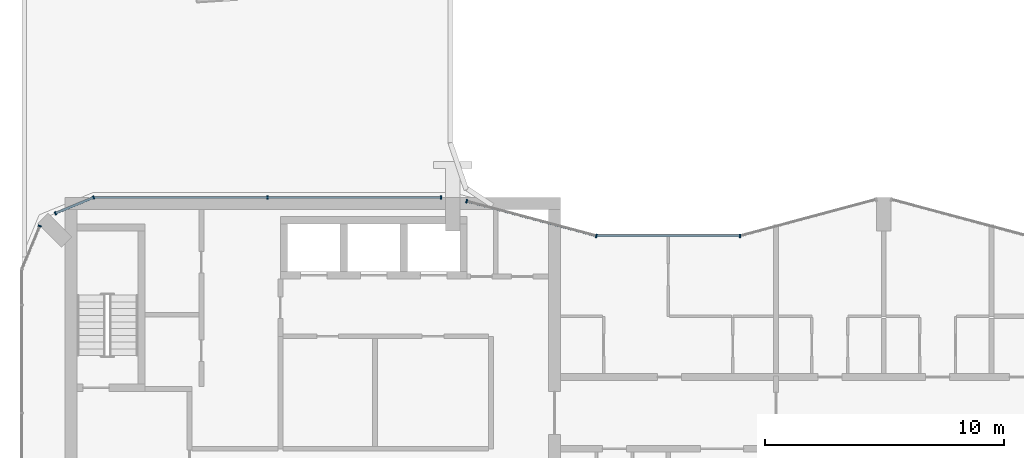
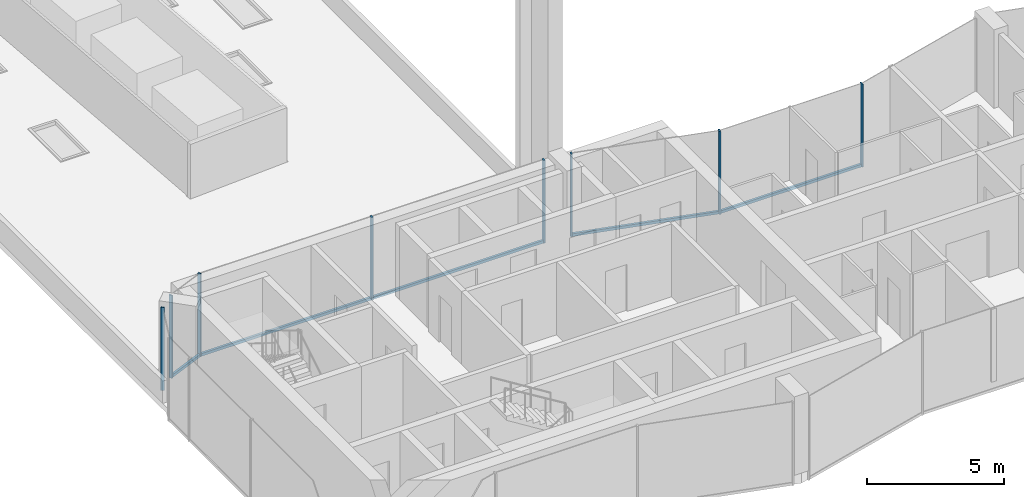
# One storey, part 4 of 13: 12 members, 5 elements without a shape of their own.
"""IFC4 building model written with IfcOpenShell, lengths in metres."""

import ifcopenshell
import ifcopenshell.guid

model = None  # the IFC model being written
_history = None  # IfcOwnerHistory: only IFC2X3 demands one
_inside = {}  # id of a spatial element -> (the spatial element, [elements in it])
_under = {}  # id of a project, library or spatial element -> (it, [spatial elements below it])
_declared = {}  # id of a project -> (the project, [libraries it declares])
_typed = {}  # id of a type object -> (the type object, [elements of that type])
_made_of = {}  # id of a material, layer set ... -> (it, [elements and type objects made of it])


def new_model(schema):
    """Start an empty IFC model of exactly this schema.

    Asked for "IFC4X3", IfcOpenShell would pick the latest addendum, in which some entities
    have other attributes; the version numbers below select the first issue.
    IFC2X3 requires an IfcOwnerHistory on every rooted entity: one is made here for all.
    """
    global model, _history
    if schema == "IFC4X3":
        model = ifcopenshell.file(schema_version=(4, 3, 0, 0))
    else:
        model = ifcopenshell.file(schema=schema)
    _inside.clear()
    _under.clear()
    _declared.clear()
    _typed.clear()
    _made_of.clear()
    _history = None
    if model.schema == "IFC2X3":
        org = make("IfcOrganization", Name="unknown")
        user = make(
            "IfcPersonAndOrganization",
            ThePerson=make("IfcPerson", FamilyName="unknown"),
            TheOrganization=org,
        )
        app = make(
            "IfcApplication",
            ApplicationDeveloper=org,
            Version="unknown",
            ApplicationFullName="unknown",
            ApplicationIdentifier="unknown",
        )
        _history = make(
            "IfcOwnerHistory",
            OwningUser=user,
            OwningApplication=app,
            ChangeAction="ADDED",
            CreationDate=0,
        )
    return model


def make(cls, **values):
    """One entity of the class cls with the attributes given. An attribute that is None is left unset."""
    return model.create_entity(
        cls, **{name: value for name, value in values.items() if value is not None}
    )


def rooted(cls, **values):
    """An entity with a GlobalId (a new one), such as an element, a storey or a relation."""
    return make(cls, GlobalId=ifcopenshell.guid.new(), OwnerHistory=_history, **values)


def si_unit(unit_type, name, prefix=None):
    """IfcSIUnit, for example si_unit("LENGTHUNIT", "METRE", prefix="MILLI")."""
    return make("IfcSIUnit", UnitType=unit_type, Prefix=prefix, Name=name)


def assignment(units):
    """IfcUnitAssignment: the units of a project."""
    return None if units is None else make("IfcUnitAssignment", Units=units)


def point(xyz):
    """IfcCartesianPoint."""
    return None if xyz is None else make("IfcCartesianPoint", Coordinates=xyz)


def direction(xyz):
    """IfcDirection."""
    return None if xyz is None else make("IfcDirection", DirectionRatios=xyz)


def frame(location, z_axis=None, x_axis=None):
    """IfcAxis2Placement3D, a coordinate frame: its origin and axes. An axis left out is left unset."""
    return make(
        "IfcAxis2Placement3D",
        Location=point(location),
        Axis=direction(z_axis),
        RefDirection=direction(x_axis),
    )


def frame_2d(location, x_axis=None):
    """IfcAxis2Placement2D, a coordinate frame in the plane: its origin and x axis."""
    return make(
        "IfcAxis2Placement2D", Location=point(location), RefDirection=direction(x_axis)
    )


def origin():
    """The frame at (0, 0, 0) with its axes left unset."""
    return frame((0.0, 0.0, 0.0))


def origin_2d():
    """The frame at (0, 0) in the plane with its x axis left unset."""
    return frame_2d((0.0, 0.0))


def place(relative_to, where):
    """IfcLocalPlacement: puts the frame where relative to a parent placement (None: the world)."""
    return make(
        "IfcLocalPlacement", PlacementRelTo=relative_to, RelativePlacement=where
    )


def context(
    kind, dimensions, precision=None, world=None, true_north=None, identifier=None
):
    """IfcGeometricRepresentationContext, for example the 3D "Model" context."""
    return make(
        "IfcGeometricRepresentationContext",
        ContextIdentifier=identifier,
        ContextType=kind,
        CoordinateSpaceDimension=dimensions,
        Precision=precision,
        WorldCoordinateSystem=world,
        TrueNorth=true_north,
    )


def subcontext(parent, identifier, kind, view, scale=None):
    """IfcGeometricRepresentationSubContext, for example "Body" below "Model"."""
    return make(
        "IfcGeometricRepresentationSubContext",
        ContextIdentifier=identifier,
        ContextType=kind,
        ParentContext=parent,
        TargetScale=scale,
        TargetView=view,
    )


def project(units=None, contexts=None):
    """IfcProject with its units and contexts."""
    return rooted(
        "IfcProject",
        Name="project",
        RepresentationContexts=contexts,
        UnitsInContext=assignment(units),
    )


def spatial(cls, under=None, at=None, **own):
    """A site, building, storey or space (cls), placed at a placement, below another one or the project."""
    s = rooted(cls, ObjectPlacement=at, **own)
    if under is not None:
        _under.setdefault(under.id(), (under, []))[1].append(s)
    return s


def profile(cls, at=None, kind="AREA", **sizes):
    """A parametric profile (cls). Its sizes go by their IFC names, for example OverallWidth=200.0."""
    return make(cls, ProfileType=kind, Position=at, **sizes)


def rectangle(**sizes):
    """IfcRectangleProfileDef."""
    return profile("IfcRectangleProfileDef", **sizes)


def extrude(swept, where, along, depth):
    """IfcExtrudedAreaSolid: the profile swept, set in the frame where, extruded along a direction by depth."""
    return make(
        "IfcExtrudedAreaSolid",
        SweptArea=swept,
        Position=where,
        ExtrudedDirection=direction(along),
        Depth=depth,
    )


def shape(context_of_items, identifier, shape_type, items):
    """IfcShapeRepresentation: the items that make up one representation, for example the "Body"."""
    return make(
        "IfcShapeRepresentation",
        ContextOfItems=context_of_items,
        RepresentationIdentifier=identifier,
        RepresentationType=shape_type,
        Items=items,
    )


def material(Name=None, Category=None):
    """IfcMaterial."""
    return make("IfcMaterial", Name=Name, Category=Category)


def layer(
    of_material, thickness, ventilated=None, Name=None, Category=None, Priority=None
):
    """IfcMaterialLayer: one layer of a wall or slab, of a material (None: an air gap)."""
    return make(
        "IfcMaterialLayer",
        Material=of_material,
        LayerThickness=thickness,
        IsVentilated=ventilated,
        Name=Name,
        Category=Category,
        Priority=Priority,
    )


def layer_set(layers, Name=None):
    """IfcMaterialLayerSet."""
    return make("IfcMaterialLayerSet", MaterialLayers=layers, LayerSetName=Name)


def material_profile(
    of_material, cross_section, Name=None, Category=None, Priority=None
):
    """IfcMaterialProfile: a cross section and its material."""
    return make(
        "IfcMaterialProfile",
        Name=Name,
        Material=of_material,
        Profile=cross_section,
        Priority=Priority,
        Category=Category,
    )


def profile_set(profiles, Name=None, composite=None):
    """IfcMaterialProfileSet."""
    return make(
        "IfcMaterialProfileSet",
        Name=Name,
        MaterialProfiles=profiles,
        CompositeProfile=composite,
    )


def made_of(thing, what):
    """Note that an element or type object is made of a material, layer set ...; save() writes the relation."""
    if what is not None:
        _made_of.setdefault(what.id(), (what, []))[1].append(thing)
    return thing


def type_object(cls, material=None, **own):
    """A type object (cls), such as IfcWallType, which elements share."""
    return made_of(rooted(cls, **own), material)


def element(
    cls,
    number,
    at=None,
    inside=None,
    cuts=None,
    type_object=None,
    material=None,
    context=None,
    identifier="Body",
    shape_type=None,
    held_by="IfcProductDefinitionShape",
    body=None,
    shapes=None,
    **own,
):
    """One element of the class cls, such as IfcWall. Its Tag is "e" and its number.

    at: its placement. inside: the storey or other place that contains it. cuts: it is an
    opening in that element (IfcRelVoidsElement). A single representation is given by context,
    identifier, shape_type and body (its items); several are given by shapes. held_by: the class
    of the entity that holds the representations. save() writes the other relations.
    """
    e = rooted(cls, Tag="e%d" % number, ObjectPlacement=at, **own)
    if body is not None:
        shapes = [shape(context, identifier, shape_type, body)]
    if shapes is not None:
        e.Representation = make(held_by, Representations=shapes)
    if inside is not None:
        _inside.setdefault(inside.id(), (inside, []))[1].append(e)
    if cuts is not None:
        rooted(
            "IfcRelVoidsElement", RelatingBuildingElement=cuts, RelatedOpeningElement=e
        )
    if type_object is not None:
        _typed.setdefault(type_object.id(), (type_object, []))[1].append(e)
    return made_of(e, material)


def aggregate(whole, parts):
    """IfcRelAggregates: a whole, such as a stair, and the parts it consists of."""
    return rooted("IfcRelAggregates", RelatingObject=whole, RelatedObjects=parts)


def save(model, path):
    """Write the relations noted so far, then the file.

    IfcRelAggregates (storeys below a building ...), IfcRelContainedInSpatialStructure (elements
    in a storey), IfcRelDefinesByType, IfcRelAssociatesMaterial and IfcRelDeclares: one each for
    every whole, place, type object, material and project.
    """
    for whole, parts in _under.values():
        aggregate(whole, parts)
    for where, things in _inside.values():
        rooted(
            "IfcRelContainedInSpatialStructure",
            RelatedElements=things,
            RelatingStructure=where,
        )
    for kind, things in _typed.values():
        rooted("IfcRelDefinesByType", RelatedObjects=things, RelatingType=kind)
    for what, things in _made_of.values():
        rooted("IfcRelAssociatesMaterial", RelatedObjects=things, RelatingMaterial=what)
    for by, libraries in _declared.values():
        rooted("IfcRelDeclares", RelatingContext=by, RelatedDefinitions=libraries)
    model.write(path)


model = new_model("IFC4")

# Units and contexts
model_context = context("Model", 3, precision=1e-05, world=origin(), true_north=direction((0.0, 1.0)))
body_context = subcontext(model_context, "Body", "Model", "MODEL_VIEW")
ifc_project = project(units=[si_unit("LENGTHUNIT", "METRE"), si_unit("AREAUNIT", "SQUARE_METRE"), si_unit("VOLUMEUNIT", "CUBIC_METRE"), si_unit("PLANEANGLEUNIT", "RADIAN"), si_unit("MASSUNIT", "GRAM", prefix="KILO")], contexts=[model_context])

# Site, building, storey
site_placement = place(None, origin())
site = spatial("IfcSite", under=ifc_project, at=site_placement, CompositionType="ELEMENT")
building_placement = place(site_placement, origin())
building = spatial("IfcBuilding", under=site, at=building_placement, Name="Plateau Cross Towers", CompositionType="ELEMENT")
storey_placement = place(building_placement, frame((0.0, 0.0, 229.39990234375)))
storey = spatial("IfcBuildingStorey", under=building, at=storey_placement, Name="L60", CompositionType="ELEMENT", Elevation=229.39990234375)

# Curtain wall, members
ifc_material_1 = material(Name="Dark low-iron glass", Category="glass")
ifc_layer_1 = layer(ifc_material_1, 0.239990234375)
ifc_layer_set_1 = layer_set([ifc_layer_1], Name="Dark low-iron glass")
curtain_wall_type_1 = type_object("IfcCurtainWallType", Name="Curtain wall flush unitised CW-B", PredefinedType="NOTDEFINED", material=ifc_layer_set_1)
curtain_wall_1_placement = place(storey_placement, origin())
curtain_wall_1 = element("IfcCurtainWall", 1, at=curtain_wall_1_placement, inside=storey, type_object=curtain_wall_type_1, Name="ENV/A/L60/A175_180", PredefinedType="NOTDEFINED")
ifc_material_2 = material(Name="Black anodised aluminium", Category="aluminium")
ifc_material_profile_1 = material_profile(ifc_material_2, rectangle(XDim=0.06005859375, YDim=0.139892578125, at=origin_2d()), Name="MULLION 60x140")
ifc_profile_set_1 = profile_set([ifc_material_profile_1], Name="Black anodised aluminium")
member_type_1 = type_object("IfcMemberType", Name="Mullion 60x140 flush unitised", PredefinedType="MULLION", material=ifc_profile_set_1)
member_1_placement = place(storey_placement, frame((17.512939453125, 18.0, -0.449951171875), z_axis=(0.0, 0.0, 1.0), x_axis=(-1.0, 0.0, 0.0)))
member_1 = element("IfcMember", 2, at=member_1_placement, type_object=member_type_1, Name="CW-B mullion 1", PredefinedType="MULLION", context=body_context, shape_type="SweptSolid", body=[
    extrude(rectangle(XDim=0.06005859375, YDim=0.139892578125, at=origin_2d()), origin(), (0.0, 0.0, 1.0), 3.699951171875),
])
member_2_placement = place(storey_placement, frame((10.25634765625, 18.0, -0.449951171875), z_axis=(0.0, 0.0, 1.0), x_axis=(-1.0, 0.0, 0.0)))
member_2 = element("IfcMember", 3, at=member_2_placement, type_object=member_type_1, Name="CW-B mullion 2", PredefinedType="MULLION", context=body_context, shape_type="SweptSolid", body=[
    extrude(rectangle(XDim=0.06005859375, YDim=0.139892578125, at=origin_2d()), origin(), (0.0, 0.0, 1.0), 3.699951171875),
])

curtain_wall_2_placement = place(storey_placement, origin())
curtain_wall_2 = element("IfcCurtainWall", 4, at=curtain_wall_2_placement, inside=storey, type_object=curtain_wall_type_1, Name="ENV/A/L60/A30_180", PredefinedType="NOTDEFINED")
member_3_placement = place(storey_placement, frame((3.0, 18.0, -0.449951171875), z_axis=(0.0, 0.0, 1.0), x_axis=(-0.923879457699, -0.382683612978, 0.0)))
member_3 = element("IfcMember", 5, at=member_3_placement, type_object=member_type_1, Name="CW-B mullion 1", PredefinedType="MULLION", context=body_context, shape_type="SweptSolid", body=[
    extrude(rectangle(XDim=0.06005859375, YDim=0.139892578125, at=origin_2d()), origin(), (0.0, 0.0, 1.0), 3.699951171875),
])
member_4_placement = place(storey_placement, frame((1.4033203125, 17.338623046875, -0.449951171875), z_axis=(0.0, 0.0, 1.0), x_axis=(-0.923879457699, -0.382683612978, 0.0)))
member_4 = element("IfcMember", 6, at=member_4_placement, type_object=member_type_1, Name="CW-B mullion 2", PredefinedType="MULLION", context=body_context, shape_type="SweptSolid", body=[
    extrude(rectangle(XDim=0.06005859375, YDim=0.139892578125, at=origin_2d()), origin(), (0.0, 0.0, 1.0), 3.699951171875),
])

# Curtain wall, member
curtain_wall_3_placement = place(storey_placement, origin())
curtain_wall_3 = element("IfcCurtainWall", 7, at=curtain_wall_3_placement, inside=storey, type_object=curtain_wall_type_1, Name="ENV/A/L60/A7_168", PredefinedType="NOTDEFINED")
member_5_placement = place(storey_placement, frame((0.748046875, 16.805908203125, -0.449951171875), z_axis=(0.0, 0.0, 1.0), x_axis=(-0.382683612978, -0.923879457699, 0.0)))
member_5 = element("IfcMember", 8, at=member_5_placement, type_object=member_type_1, Name="CW-B mullion 1", PredefinedType="MULLION", context=body_context, shape_type="SweptSolid", body=[
    extrude(rectangle(XDim=0.06005859375, YDim=0.139892578125, at=origin_2d()), origin(), (0.0, 0.0, 1.0), 3.699951171875),
])
aggregate(curtain_wall_3, [member_5])

ifc_layer_2 = layer(ifc_material_1, 0.260009765625)
ifc_layer_set_2 = layer_set([ifc_layer_2], Name="Dark low-iron glass")
curtain_wall_type_2 = type_object("IfcCurtainWallType", Name="Curtain wall fluted unitised CW-A", PredefinedType="NOTDEFINED", material=ifc_layer_set_2)
curtain_wall_4_placement = place(storey_placement, origin())
curtain_wall_4 = element("IfcCurtainWall", 9, at=curtain_wall_4_placement, inside=storey, type_object=curtain_wall_type_2, Name="ENV/A/L60/A300_164", PredefinedType="NOTDEFINED")
ifc_material_profile_2 = material_profile(ifc_material_2, rectangle(XDim=0.06005859375, YDim=0.159912109375, at=origin_2d()), Name="MULLION 60x160")
ifc_profile_set_2 = profile_set([ifc_material_profile_2], Name="Black anodised aluminium")
member_type_2 = type_object("IfcMemberType", Name="Mullion 60x160 fluted unitised", PredefinedType="MULLION", material=ifc_profile_set_2)
member_6_placement = place(storey_placement, frame((30.0, 16.39306640625, -0.449951171875), z_axis=(0.0, 0.0, 1.0), x_axis=(-1.0, 0.0, 0.0)))
member_6 = element("IfcMember", 10, at=member_6_placement, type_object=member_type_2, Name="CW-A mullion 1", PredefinedType="MULLION", context=body_context, shape_type="SweptSolid", body=[
    extrude(rectangle(XDim=0.06005859375, YDim=0.159912109375, at=origin_2d()), origin(), (0.0, 0.0, 1.0), 3.699951171875),
])

# Curtain wall, members
curtain_wall_5_placement = place(storey_placement, origin())
curtain_wall_5 = element("IfcCurtainWall", 11, at=curtain_wall_5_placement, inside=storey, type_object=curtain_wall_type_2, Name="ENV/A/L60/A240_164", PredefinedType="NOTDEFINED")
member_7_placement = place(storey_placement, frame((24.0, 16.39306640625, -0.449951171875), z_axis=(0.0, 0.0, 1.0), x_axis=(-0.965957983404, 0.258699003279, 0.0)))
member_7 = element("IfcMember", 12, at=member_7_placement, type_object=member_type_2, Name="CW-A mullion 1", PredefinedType="MULLION", context=body_context, shape_type="SweptSolid", body=[
    extrude(rectangle(XDim=0.06005859375, YDim=0.159912109375, at=origin_2d()), origin(), (0.0, 0.0, 1.0), 3.699951171875),
])
member_8_placement = place(storey_placement, frame((18.58203125, 17.843994140625, -0.449951171875), z_axis=(0.0, 0.0, 1.0), x_axis=(-0.965957983404, 0.258699003279, 0.0)))
member_8 = element("IfcMember", 13, at=member_8_placement, type_object=member_type_2, Name="CW-A mullion 2", PredefinedType="MULLION", context=body_context, shape_type="SweptSolid", body=[
    extrude(rectangle(XDim=0.06005859375, YDim=0.159912109375, at=origin_2d()), origin(), (0.0, 0.0, 1.0), 3.699951171875),
])

# Member
ifc_material_profile_3 = material_profile(ifc_material_2, rectangle(XDim=0.10009765625, YDim=0.1201171875, at=origin_2d()), Name="TRANSOM 100x120")
ifc_profile_set_3 = profile_set([ifc_material_profile_3], Name="Black anodised aluminium")
member_type_3 = type_object("IfcMemberType", Name="Transom 100x120 flush unitised", PredefinedType="USERDEFINED", material=ifc_profile_set_3)
member_9_placement = place(storey_placement, frame((17.512939453125, 18.0, -0.389892578125), z_axis=(-1.0, 0.0, 0.0), x_axis=(0.0, -1.0, 0.0)))
member_9 = element("IfcMember", 14, at=member_9_placement, type_object=member_type_3, Name="CW-B transom", ObjectType="TRANSOM", PredefinedType="USERDEFINED", context=body_context, shape_type="SweptSolid", body=[
    extrude(rectangle(XDim=0.10009765625, YDim=0.1201171875, at=origin_2d()), origin(), (0.0, 0.0, 1.0), 14.512939453125),
])

aggregate(curtain_wall_1, [member_1, member_2, member_9])

member_10_placement = place(storey_placement, frame((3.0, 18.0, -0.389892578125), z_axis=(-0.923877369776, -0.382688653628, 0.0), x_axis=(0.382688653628, -0.923877369776, 0.0)))
member_10 = element("IfcMember", 15, at=member_10_placement, type_object=member_type_3, Name="CW-B transom", ObjectType="TRANSOM", PredefinedType="USERDEFINED", context=body_context, shape_type="SweptSolid", body=[
    extrude(rectangle(XDim=0.10009765625, YDim=0.1201171875, at=origin_2d()), origin(), (0.0, 0.0, 1.0), 1.728271484375),
])

aggregate(curtain_wall_2, [member_3, member_4, member_10])

ifc_material_profile_4 = material_profile(ifc_material_2, rectangle(XDim=0.10009765625, YDim=0.1201171875, at=origin_2d()), Name="TRANSOM 100x120")
ifc_profile_set_4 = profile_set([ifc_material_profile_4], Name="Black anodised aluminium")
member_type_4 = type_object("IfcMemberType", Name="Transom 100x120 fluted unitised", PredefinedType="USERDEFINED", material=ifc_profile_set_4)
member_11_placement = place(storey_placement, frame((30.0, 16.39306640625, -0.389892578125), z_axis=(-1.0, 0.0, 0.0), x_axis=(0.0, -1.0, 0.0)))
member_11 = element("IfcMember", 16, at=member_11_placement, type_object=member_type_4, Name="CW-A transom", ObjectType="TRANSOM", PredefinedType="USERDEFINED", context=body_context, shape_type="SweptSolid", body=[
    extrude(rectangle(XDim=0.10009765625, YDim=0.1201171875, at=origin_2d()), origin(), (0.0, 0.0, 1.0), 6.0),
])

aggregate(curtain_wall_4, [member_6, member_11])

member_12_placement = place(storey_placement, frame((24.0, 16.39306640625, -0.389892578125), z_axis=(-0.965962036908, 0.2586838674, 0.0), x_axis=(-0.2586838674, -0.965962036908, 0.0)))
member_12 = element("IfcMember", 17, at=member_12_placement, type_object=member_type_4, Name="CW-A transom", ObjectType="TRANSOM", PredefinedType="USERDEFINED", context=body_context, shape_type="SweptSolid", body=[
    extrude(rectangle(XDim=0.10009765625, YDim=0.1201171875, at=origin_2d()), origin(), (0.0, 0.0, 1.0), 5.60888671875),
])

aggregate(curtain_wall_5, [member_7, member_8, member_12])

save(model, "model.ifc")
